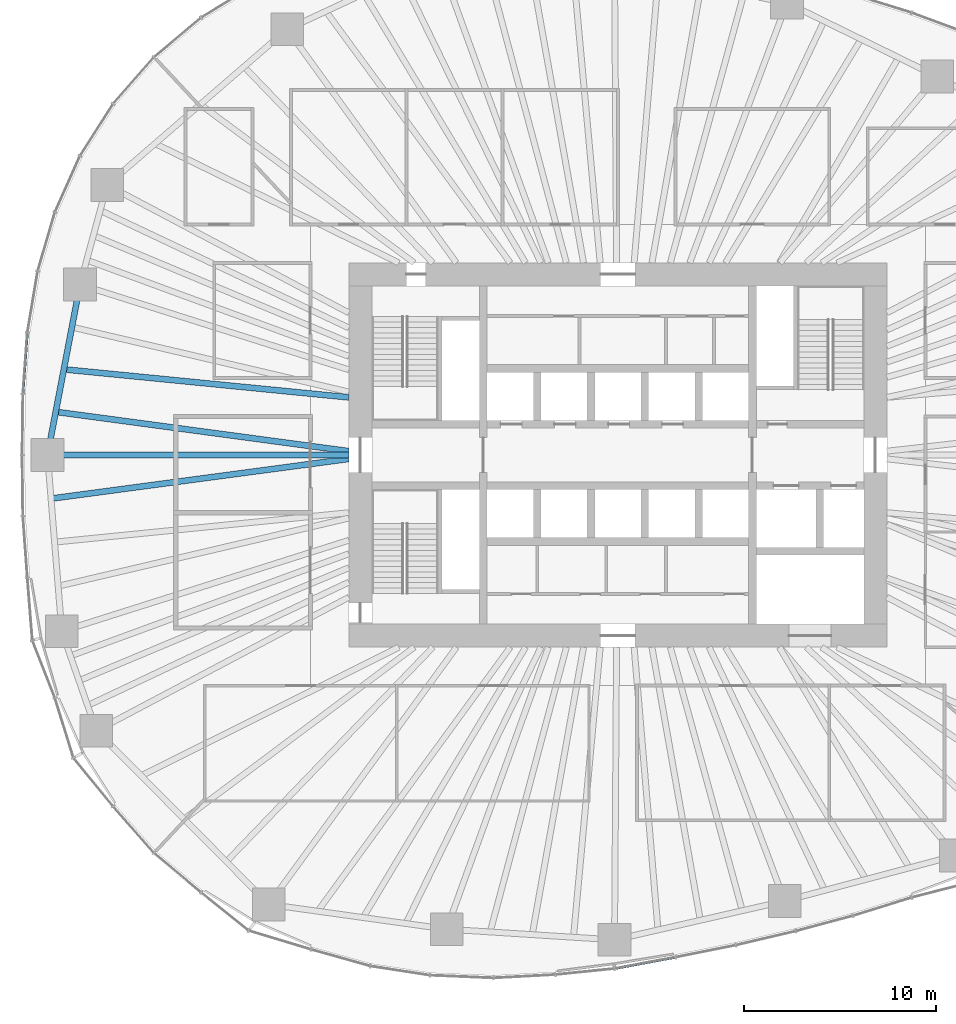
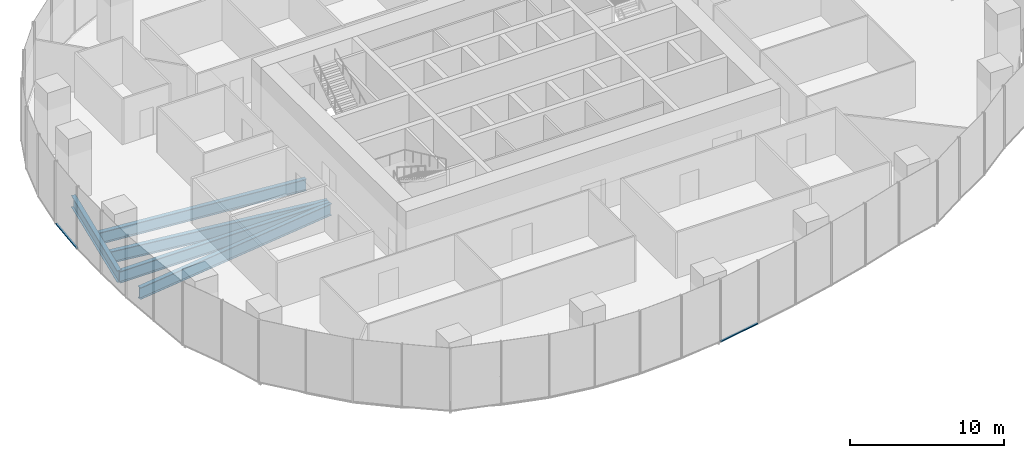
# One storey, part 3 of 20: 5 beams, 2 members, 2 elements without a shape of their own.
"""IFC4 building model written with IfcOpenShell, lengths in metres."""

from ifc_helpers import new_model, si_unit, direction, frame, origin, origin_2d, place, context, subcontext, project, spatial, rectangle, i_section, extrude, material, material_profile, profile_set, type_object, element, aggregate, save


model = new_model("IFC4")

# Units and contexts
model_context = context("Model", 3, precision=1e-05, world=origin(), true_north=direction((0.0, 1.0)))
body_context = subcontext(model_context, "Body", "Model", "MODEL_VIEW")
ifc_project = project(units=[si_unit("LENGTHUNIT", "METRE"), si_unit("AREAUNIT", "SQUARE_METRE"), si_unit("VOLUMEUNIT", "CUBIC_METRE"), si_unit("PLANEANGLEUNIT", "RADIAN"), si_unit("MASSUNIT", "GRAM", prefix="KILO")], contexts=[model_context])

# Site, building, storey
site_placement = place(None, origin())
site = spatial("IfcSite", under=ifc_project, at=site_placement, CompositionType="ELEMENT")
building_placement = place(site_placement, origin())
building = spatial("IfcBuilding", under=site, at=building_placement, Name="Ghaith Harvest Tower", CompositionType="ELEMENT")
storey_placement = place(building_placement, frame((0.0, 0.0, 85.0)))
storey = spatial("IfcBuildingStorey", under=building, at=storey_placement, Name="L17", CompositionType="ELEMENT", Elevation=85.0)

# Curtain wall, member
ifc_material_1 = material(Name="Black anodised aluminium and fritted glass", Category="aluminium")
curtain_wall_type = type_object("IfcCurtainWallType", Name="CW-F CURTAIN WALL", PredefinedType="NOTDEFINED", material=ifc_material_1)
curtain_wall_1_placement = place(storey_placement, origin())
curtain_wall_1 = element("IfcCurtainWall", 1, at=curtain_wall_1_placement, inside=storey, type_object=curtain_wall_type, Name="Curtain wall CW-F bay 10 L17", PredefinedType="NOTDEFINED")
ifc_material_2 = material(Name="Aluminium, black anodised", Category="aluminium")
ifc_material_profile_1 = material_profile(ifc_material_2, rectangle(XDim=0.139892578125, YDim=0.080078125, at=origin_2d()), Name="CW-F TRANSOM 140x80")
ifc_profile_set_1 = profile_set([ifc_material_profile_1], Name="Aluminium, black anodised")
member_type = type_object("IfcMemberType", Name="CW-F TRANSOM 140x80", PredefinedType="USERDEFINED", material=ifc_profile_set_1)
member_1_placement = place(storey_placement, frame((-30.72705078125, 6.335693359375, 0.0400390625), z_axis=(-0.072473547161, -0.997370334912, 0.0), x_axis=(0.997370334912, -0.072473547161, 0.0)))
member_1 = element("IfcMember", 2, at=member_1_placement, type_object=member_type, Name="CW-F transom 2 bay 10 L17", ObjectType="TRANSOM", PredefinedType="USERDEFINED", context=body_context, shape_type="SweptSolid", body=[
    extrude(rectangle(XDim=0.139892578125, YDim=0.080078125, at=origin_2d()), origin(), (0.0, 0.0, 1.0), 3.126220703125),
])
aggregate(curtain_wall_1, [member_1])

curtain_wall_2_placement = place(storey_placement, origin())
curtain_wall_2 = element("IfcCurtainWall", 3, at=curtain_wall_2_placement, inside=storey, type_object=curtain_wall_type, Name="Curtain wall CW-F bay 16 L17", PredefinedType="NOTDEFINED")
member_2_placement = place(storey_placement, frame((-0.1435546875, -26.709716796875, 0.0400390625), z_axis=(0.983139075124, 0.182859396706, 0.0), x_axis=(-0.182859396706, 0.983139075124, 0.0)))
member_2 = element("IfcMember", 4, at=member_2_placement, type_object=member_type, Name="CW-F transom 1 bay 16 L17", ObjectType="TRANSOM", PredefinedType="USERDEFINED", context=body_context, shape_type="SweptSolid", body=[
    extrude(rectangle(XDim=0.139892578125, YDim=0.080078125, at=origin_2d()), origin(), (0.0, 0.0, 1.0), 3.1669921875),
])
aggregate(curtain_wall_2, [member_2])

# Beams
ifc_material_3 = material(Name="Steel ASTM A992 Grade 50", Category="steel")
ifc_material_profile_2 = material_profile(ifc_material_3, i_section(OverallWidth=0.306884765625, OverallDepth=0.94189453125, WebThickness=0.022216796875, FlangeThickness=0.039794921875, at=origin_2d()), Name="W920X345")
ifc_profile_set_2 = profile_set([ifc_material_profile_2], Name="Steel ASTM A992 Grade 50")
beam_type_1 = type_object("IfcBeamType", Name="E920-345 W920X345", PredefinedType="SPANDREL", material=ifc_profile_set_2)
beam_1_placement = place(storey_placement, frame((-27.98291015625, 8.867919921875, -0.6708984375), z_axis=(-0.187433949108, -0.982277208695, 0.0), x_axis=(0.982277208695, -0.187433949108, 0.0)))
element("IfcBeam", 5, at=beam_1_placement, inside=storey, type_object=beam_type_1, Name="Edge beam E10 L17", PredefinedType="SPANDREL", context=body_context, shape_type="SweptSolid", body=[
    extrude(i_section(OverallWidth=0.306884765625, OverallDepth=0.94189453125, WebThickness=0.022216796875, FlangeThickness=0.039794921875, at=origin_2d()), origin(), (0.0, 0.0, 1.0), 9.02783203125),
])
ifc_material_4 = material(Name="Steel ASTM A992 Grade 50", Category="steel")
ifc_material_profile_3 = material_profile(ifc_material_4, i_section(OverallWidth=0.306884765625, OverallDepth=0.94189453125, WebThickness=0.022216796875, FlangeThickness=0.039794921875, at=origin_2d()), Name="W920X345")
ifc_profile_set_3 = profile_set([ifc_material_profile_3], Name="Steel ASTM A992 Grade 50")
beam_type_2 = type_object("IfcBeamType", Name="G920-345 W920X345", PredefinedType="BEAM", material=ifc_profile_set_3)
beam_2_placement = place(storey_placement, frame((-14.0, 0.0, -0.6708984375), z_axis=(-1.0, 0.0, 0.0), x_axis=(0.0, -1.0, 0.0)))
element("IfcBeam", 6, at=beam_2_placement, inside=storey, type_object=beam_type_2, Name="Radial girder G11 L17", PredefinedType="BEAM", context=body_context, shape_type="SweptSolid", body=[
    extrude(i_section(OverallWidth=0.306884765625, OverallDepth=0.94189453125, WebThickness=0.022216796875, FlangeThickness=0.039794921875, at=origin_2d()), origin(), (0.0, 0.0, 1.0), 15.675048828125),
])
ifc_material_5 = material(Name="Steel ASTM A992 Grade 50", Category="steel")
ifc_material_profile_4 = material_profile(ifc_material_5, i_section(OverallWidth=0.31005859375, OverallDepth=0.927001953125, WebThickness=0.019287109375, FlangeThickness=0.031982421875, at=origin_2d()), Name="W920X289")
ifc_profile_set_4 = profile_set([ifc_material_profile_4], Name="Steel ASTM A992 Grade 50")
beam_type_3 = type_object("IfcBeamType", Name="J920-289 W920X289", PredefinedType="JOIST", material=ifc_profile_set_4)
beam_3_placement = place(storey_placement, frame((-14.0, 3.0, -0.66357421875), z_axis=(-0.995196704135, 0.097895454848, 0.0), x_axis=(-0.097895454848, -0.995196704135, 0.0)))
element("IfcBeam", 7, at=beam_3_placement, inside=storey, type_object=beam_type_3, Name="Joist J10.2 L17", PredefinedType="JOIST", context=body_context, shape_type="SweptSolid", body=[
    extrude(i_section(OverallWidth=0.31005859375, OverallDepth=0.927001953125, WebThickness=0.019287109375, FlangeThickness=0.031982421875, at=origin_2d()), origin(), (0.0, 0.0, 1.0), 14.89599609375),
])
beam_4_placement = place(storey_placement, frame((-14.0, 0.199951171875, -0.66357421875), z_axis=(-0.991095171591, 0.133155401128, 0.0), x_axis=(-0.133155401128, -0.991095171591, 0.0)))
element("IfcBeam", 8, at=beam_4_placement, inside=storey, type_object=beam_type_3, Name="Joist J10.3 L17", PredefinedType="JOIST", context=body_context, shape_type="SweptSolid", body=[
    extrude(i_section(OverallWidth=0.31005859375, OverallDepth=0.927001953125, WebThickness=0.019287109375, FlangeThickness=0.031982421875, at=origin_2d()), origin(), (0.0, 0.0, 1.0), 15.383056640625),
])
beam_5_placement = place(storey_placement, frame((-14.0, -0.199951171875, -0.66357421875), z_axis=(-0.991213569042, -0.132271162948, 0.0), x_axis=(0.132271162948, -0.991213569042, 0.0)))
element("IfcBeam", 9, at=beam_5_placement, inside=storey, type_object=beam_type_3, Name="Joist J11.1 L17", PredefinedType="JOIST", context=body_context, shape_type="SweptSolid", body=[
    extrude(i_section(OverallWidth=0.31005859375, OverallDepth=0.927001953125, WebThickness=0.019287109375, FlangeThickness=0.031982421875, at=origin_2d()), origin(), (0.0, 0.0, 1.0), 15.6279296875),
])

save(model, "model.ifc")
